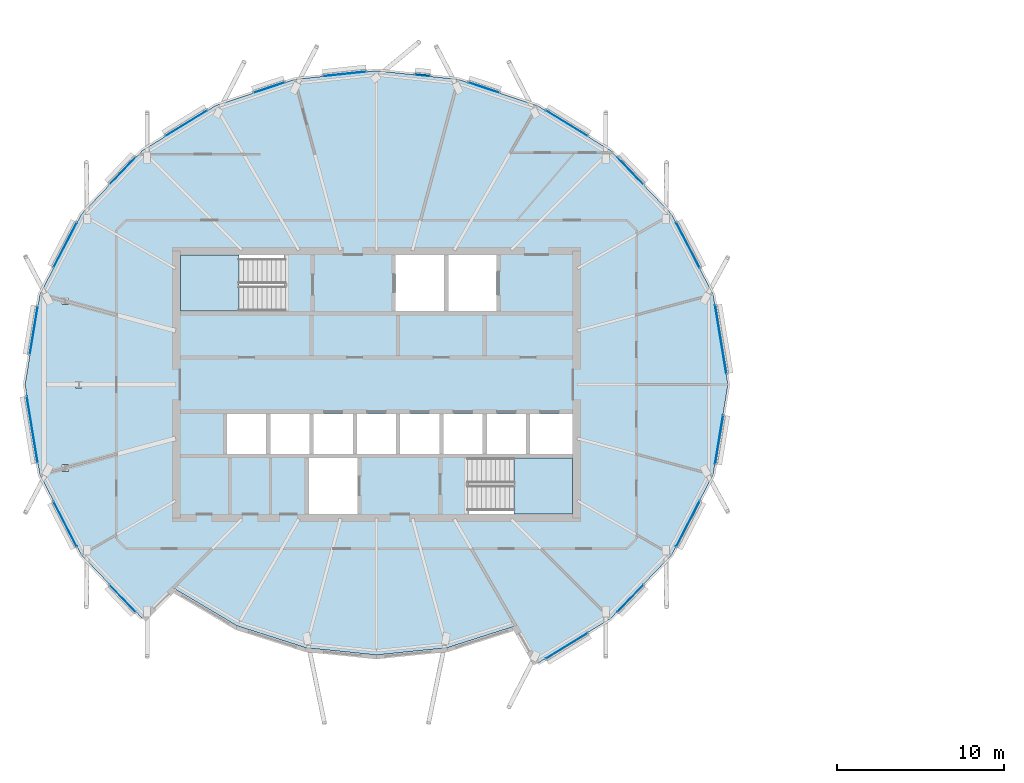
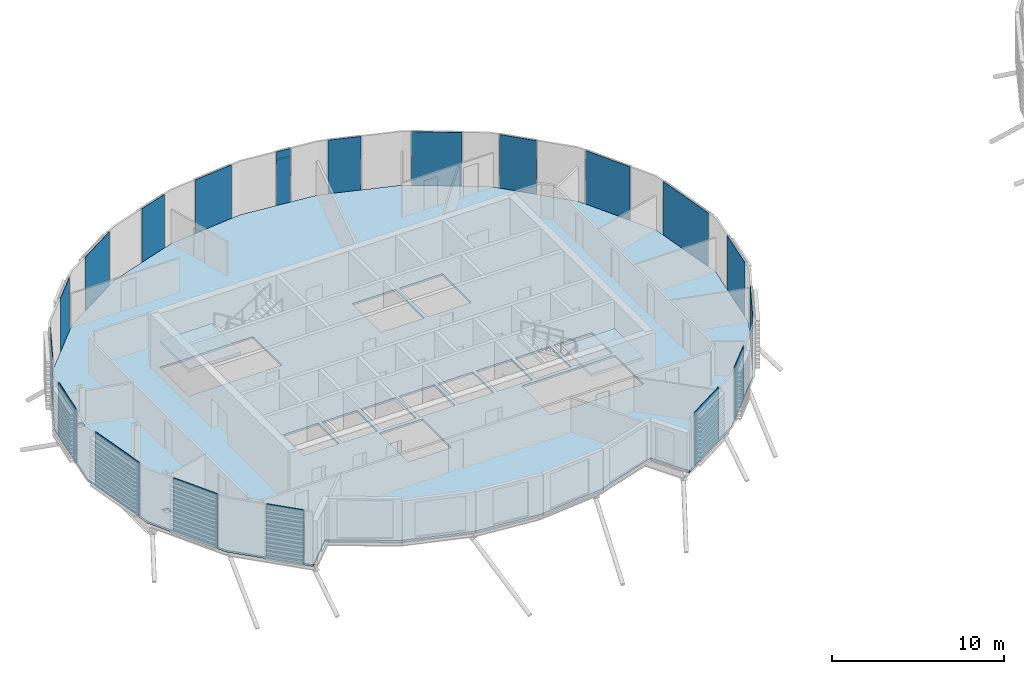
# One storey, part 15 of 38: 19 plates, 3 slabs, 1 member, 3 elements without a shape of their own.
"""IFC4 building model written with IfcOpenShell, lengths in metres."""

from ifc_helpers import new_model, si_unit, direction, frame, origin, origin_2d, place, context, subcontext, project, spatial, polyline, rectangle, outline, extrude, material, layer, layer_set, material_profile, profile_set, type_object, element, aggregate, save


model = new_model("IFC4")

# Units and contexts
model_context = context("Model", 3, precision=1e-05, world=origin(), true_north=direction((0.0, 1.0)))
body_context = subcontext(model_context, "Body", "Model", "MODEL_VIEW")
ifc_project = project(units=[si_unit("LENGTHUNIT", "METRE"), si_unit("AREAUNIT", "SQUARE_METRE"), si_unit("VOLUMEUNIT", "CUBIC_METRE"), si_unit("PLANEANGLEUNIT", "RADIAN"), si_unit("MASSUNIT", "GRAM", prefix="KILO")], contexts=[model_context])

# Site, building, storey
site_placement = place(None, origin())
site = spatial("IfcSite", under=ifc_project, at=site_placement, CompositionType="ELEMENT")
building_placement = place(site_placement, origin())
building = spatial("IfcBuilding", under=site, at=building_placement, Name="Rimbun Link Towers", CompositionType="ELEMENT")
storey_placement = place(building_placement, frame((0.0, 0.0, 218.10009765625)))
storey = spatial("IfcBuildingStorey", under=building, at=storey_placement, Name="L53", CompositionType="ELEMENT", Elevation=218.10009765625)

# Curtain wall, member
ifc_material_1 = material(Name="Aluminium 6063-T6 and low-iron glass", Category="aluminium")
curtain_wall_type = type_object("IfcCurtainWallType", Name="CW1-Z4 unitised vision wall (zone 4)", PredefinedType="NOTDEFINED", material=ifc_material_1)
curtain_wall_placement = place(storey_placement, origin())
curtain_wall = element("IfcCurtainWall", 1, at=curtain_wall_placement, inside=storey, type_object=curtain_wall_type, Name="CW1 L53 T1", PredefinedType="NOTDEFINED")
ifc_material_2 = material(Name="Aluminium 6063-T6", Category="aluminium")
ifc_material_profile = material_profile(ifc_material_2, rectangle(XDim=0.06005859375, YDim=0.1201171875, at=origin_2d()), Name="TRANSOM 60X120")
ifc_profile_set = profile_set([ifc_material_profile], Name="Aluminium 6063-T6")
member_type = type_object("IfcMemberType", Name="CW1 transom 60X120", PredefinedType="USERDEFINED", material=ifc_profile_set)
member_placement = place(storey_placement, frame((-29.4267578125, 18.617431640625, 3.199951171875), z_axis=(0.994502367673, -0.104714090228, 0.0), x_axis=(0.104714090228, 0.994502367673, 0.0)))
member = element("IfcMember", 2, at=member_placement, type_object=member_type, Name="CW1 transom", ObjectType="TRANSOM", PredefinedType="USERDEFINED", context=body_context, shape_type="SweptSolid", body=[
    extrude(rectangle(XDim=0.06005859375, YDim=0.1201171875, at=origin_2d()), origin(), (0.0, 0.0, 1.0), 0.867431640625),
])

# Slab
ifc_material_3 = material(Name="Concrete C35/45", Category="concrete")
ifc_layer_1 = layer(ifc_material_3, 0.139892578125)
ifc_layer_set_1 = layer_set([ifc_layer_1], Name="COMPOSITE FLOOR 140")
slab_type_1 = type_object("IfcSlabType", Name="COMPOSITE FLOOR 140", PredefinedType="FLOOR", material=ifc_layer_set_1)
slab_1_placement = place(storey_placement, frame((0.0, 0.0, -0.14013671875)))
element("IfcSlab", 3, at=slab_1_placement, inside=storey, type_object=slab_type_1, Name="Floor slab T1 L53", PredefinedType="FLOOR", context=body_context, shape_type="SweptSolid", body=[
    extrude(outline(polyline([(-49.434814453125, -10.21044921875), (-51.92138671875, -5.40478515625), (-52.810302734375, 0.0), (-51.92138671875, 5.40478515625), (-49.434814453125, 10.21044921875), (-45.7763671875, 14.0263671875), (-41.399658203125, 16.713623046875), (-36.650146484375, 18.28759765625), (-31.75, 18.8037109375), (-26.849853515625, 18.28759765625), (-22.100341796875, 16.713623046875), (-17.7236328125, 14.0263671875), (-14.065185546875, 10.21044921875), (-11.57861328125, 5.40478515625), (-10.689697265625, 0.0), (-11.57861328125, -5.40478515625), (-14.065185546875, -10.21044921875), (-17.7236328125, -14.0263671875), (-22.100341796875, -16.713623046875), (-23.400390625, -14.462158203125), (-27.522705078125, -15.7763671875), (-31.75, -16.20361328125), (-35.977294921875, -15.7763671875), (-40.099609375, -14.462158203125), (-43.93798828125, -12.18798828125), (-45.7763671875, -14.0263671875), (-49.434814453125, -10.21044921875)]), holes=[polyline([(-32.89990234375, -7.75), (-32.89990234375, -4.39990234375), (-35.800048828125, -4.39990234375), (-35.800048828125, -7.75), (-32.89990234375, -7.75)]), polyline([(-50.208251953125, -5.1962890625), (-50.208251953125, -4.802490234375), (-50.607421875, -4.802490234375), (-50.607421875, -5.1962890625), (-50.208251953125, -5.1962890625)]), polyline([(-38.361083984375, -4.14990234375), (-38.361083984375, -1.75), (-40.70556640625, -1.75), (-40.70556640625, -4.14990234375), (-38.361083984375, -4.14990234375)]), polyline([(-35.7666015625, -4.14990234375), (-35.7666015625, -1.75), (-38.111083984375, -1.75), (-38.111083984375, -4.14990234375), (-35.7666015625, -4.14990234375)]), polyline([(-33.172119140625, -4.14990234375), (-33.172119140625, -1.75), (-35.5166015625, -1.75), (-35.5166015625, -4.14990234375), (-33.172119140625, -4.14990234375)]), polyline([(-49.3837890625, -0.19677734375), (-49.3837890625, 0.19677734375), (-49.78271484375, 0.19677734375), (-49.78271484375, -0.19677734375), (-49.3837890625, -0.19677734375)]), polyline([(-50.208251953125, 4.802490234375), (-50.208251953125, 5.1962890625), (-50.607421875, 5.1962890625), (-50.607421875, 4.802490234375), (-50.208251953125, 4.802490234375)]), polyline([(-37.260009765625, 4.39990234375), (-37.260009765625, 7.75), (-43.5, 7.75), (-43.5, 4.39990234375), (-37.260009765625, 4.39990234375)]), polyline([(-20.0, -7.75), (-20.0, -4.39990234375), (-26.239990234375, -4.39990234375), (-26.239990234375, -7.75), (-20.0, -7.75)]), polyline([(-30.577880859375, -4.14990234375), (-30.577880859375, -1.75), (-32.922119140625, -1.75), (-32.922119140625, -4.14990234375), (-30.577880859375, -4.14990234375)]), polyline([(-27.9833984375, -4.14990234375), (-27.9833984375, -1.75), (-30.327880859375, -1.75), (-30.327880859375, -4.14990234375), (-27.9833984375, -4.14990234375)]), polyline([(-25.388916015625, -4.14990234375), (-25.388916015625, -1.75), (-27.7333984375, -1.75), (-27.7333984375, -4.14990234375), (-25.388916015625, -4.14990234375)]), polyline([(-22.79443359375, -4.14990234375), (-22.79443359375, -1.75), (-25.138916015625, -1.75), (-25.138916015625, -4.14990234375), (-22.79443359375, -4.14990234375)]), polyline([(-20.0, -4.14990234375), (-20.0, -1.75), (-22.54443359375, -1.75), (-22.54443359375, -4.14990234375), (-20.0, -4.14990234375)]), polyline([(-27.699951171875, 4.39990234375), (-27.699951171875, 7.75), (-30.60009765625, 7.75), (-30.60009765625, 4.39990234375), (-27.699951171875, 4.39990234375)]), polyline([(-24.550048828125, 4.39990234375), (-24.550048828125, 7.75), (-27.449951171875, 7.75), (-27.449951171875, 4.39990234375), (-24.550048828125, 4.39990234375)])]), origin(), (0.0, 0.0, 1.0), 0.14013671875),
])

# Plate
ifc_material_4 = material(Name="Low-iron glass, laminated low-e unit", Category="glass")
ifc_layer_2 = layer(ifc_material_4, 0.028076171875)
ifc_layer_set_2 = layer_set([ifc_layer_2], Name="CW1 panel Low-iron glass 28")
plate_type = type_object("IfcPlateType", Name="CW1 panel Low-iron glass 28", PredefinedType="CURTAIN_PANEL", material=ifc_layer_set_2)
plate_1_placement = place(storey_placement, frame((-11.120361328125, 2.704833984375, 0.0), z_axis=(0.0, 0.0, 1.0), x_axis=(0.162264068235, -0.986747369979, 0.0)))
plate_1 = element("IfcPlate", 4, at=plate_1_placement, type_object=plate_type, Name="CW1 panel", PredefinedType="CURTAIN_PANEL", context=body_context, shape_type="SweptSolid", body=[
    extrude(rectangle(XDim=4.137451171875, YDim=0.028076171875, at=origin_2d()), origin(), (0.0, 0.0, 1.0), 3.800048828125),
])

plate_2_placement = place(storey_placement, frame((-13.085205078125, 8.346923828125, 0.0), z_axis=(0.0, 0.0, 1.0), x_axis=(0.459553639865, -0.888150016656, 0.0)))
plate_2 = element("IfcPlate", 5, at=plate_2_placement, type_object=plate_type, Name="CW1 panel", PredefinedType="CURTAIN_PANEL", context=body_context, shape_type="SweptSolid", body=[
    extrude(rectangle(XDim=3.07080078125, YDim=0.028076171875, at=origin_2d()), origin(), (0.0, 0.0, 1.0), 3.800048828125),
])

plate_3_placement = place(storey_placement, frame((-16.541748046875, 12.81396484375, 0.0), z_axis=(0.0, 0.0, 1.0), x_axis=(0.692053255443, -0.721846446019, 0.0)))
plate_3 = element("IfcPlate", 6, at=plate_3_placement, type_object=plate_type, Name="CW1 panel", PredefinedType="CURTAIN_PANEL", context=body_context, shape_type="SweptSolid", body=[
    extrude(rectangle(XDim=2.246337890625, YDim=0.028076171875, at=origin_2d()), origin(), (0.0, 0.0, 1.0), 3.800048828125),
])

plate_4_placement = place(storey_placement, frame((-20.35205078125, 15.65673828125, 0.0), z_axis=(0.0, 0.0, 1.0), x_axis=(0.852184020392, -0.523242195727, 0.0)))
plate_4 = element("IfcPlate", 7, at=plate_4_placement, type_object=plate_type, Name="CW1 panel", PredefinedType="CURTAIN_PANEL", context=body_context, shape_type="SweptSolid", body=[
    extrude(rectangle(XDim=2.94580078125, YDim=0.028076171875, at=origin_2d()), origin(), (0.0, 0.0, 1.0), 3.800048828125),
])

plate_5_placement = place(storey_placement, frame((-25.324951171875, 17.797119140625, 0.0), z_axis=(0.0, 0.0, 1.0), x_axis=(0.949231478105, -0.314578449635, 0.0)))
plate_5 = element("IfcPlate", 8, at=plate_5_placement, type_object=plate_type, Name="CW1 panel", PredefinedType="CURTAIN_PANEL", context=body_context, shape_type="SweptSolid", body=[
    extrude(rectangle(XDim=1.963623046875, YDim=0.028076171875, at=origin_2d()), origin(), (0.0, 0.0, 1.0), 3.800048828125),
])

plate_6_placement = place(storey_placement, frame((-29.0, 18.5283203125, 0.0), z_axis=(0.0, 0.0, 1.0), x_axis=(0.994501448774, -0.104722816932, 0.0)))
plate_6 = element("IfcPlate", 9, at=plate_6_placement, type_object=plate_type, Name="CW1 panel", PredefinedType="CURTAIN_PANEL", context=body_context, shape_type="SweptSolid", body=[
    extrude(rectangle(XDim=0.88720703125, YDim=0.028076171875, at=origin_2d()), origin(), (0.0, 0.0, 1.0), 3.800048828125),
])

plate_7_placement = place(storey_placement, frame((-33.654541015625, 18.6171875, 0.0), z_axis=(0.0, 0.0, 1.0), x_axis=(0.994501448774, 0.104722816932, 0.0)))
plate_7 = element("IfcPlate", 10, at=plate_7_placement, type_object=plate_type, Name="CW1 panel", PredefinedType="CURTAIN_PANEL", context=body_context, shape_type="SweptSolid", body=[
    extrude(rectangle(XDim=2.58740234375, YDim=0.028076171875, at=origin_2d()), origin(), (0.0, 0.0, 1.0), 3.800048828125),
])

plate_8_placement = place(storey_placement, frame((-38.175048828125, 17.797119140625, 0.0), z_axis=(0.0, 0.0, 1.0), x_axis=(0.949231478105, 0.314578449635, 0.0)))
plate_8 = element("IfcPlate", 11, at=plate_8_placement, type_object=plate_type, Name="CW1 panel", PredefinedType="CURTAIN_PANEL", context=body_context, shape_type="SweptSolid", body=[
    extrude(rectangle(XDim=1.963623046875, YDim=0.028076171875, at=origin_2d()), origin(), (0.0, 0.0, 1.0), 3.800048828125),
])

plate_9_placement = place(storey_placement, frame((-43.14794921875, 15.65673828125, 0.0), z_axis=(0.0, 0.0, 1.0), x_axis=(0.852184020392, 0.523242195727, 0.0)))
plate_9 = element("IfcPlate", 12, at=plate_9_placement, type_object=plate_type, Name="CW1 panel", PredefinedType="CURTAIN_PANEL", context=body_context, shape_type="SweptSolid", body=[
    extrude(rectangle(XDim=2.94580078125, YDim=0.028076171875, at=origin_2d()), origin(), (0.0, 0.0, 1.0), 3.800048828125),
])

plate_10_placement = place(storey_placement, frame((-46.958251953125, 12.81396484375, 0.0), z_axis=(0.0, 0.0, 1.0), x_axis=(0.692053255443, 0.721846446019, 0.0)))
plate_10 = element("IfcPlate", 13, at=plate_10_placement, type_object=plate_type, Name="CW1 panel", PredefinedType="CURTAIN_PANEL", context=body_context, shape_type="SweptSolid", body=[
    extrude(rectangle(XDim=2.246337890625, YDim=0.028076171875, at=origin_2d()), origin(), (0.0, 0.0, 1.0), 3.800048828125),
])

plate_11_placement = place(storey_placement, frame((-50.4033203125, 8.369140625, 0.0), z_axis=(0.0, 0.0, 1.0), x_axis=(0.459553639865, 0.888150016656, 0.0)))
plate_11 = element("IfcPlate", 14, at=plate_11_placement, type_object=plate_type, Name="CW1 panel", PredefinedType="CURTAIN_PANEL", context=body_context, shape_type="SweptSolid", body=[
    extrude(rectangle(XDim=3.020751953125, YDim=0.028076171875, at=origin_2d()), origin(), (0.0, 0.0, 1.0), 3.800048828125),
])

plate_12_placement = place(storey_placement, frame((-52.290283203125, 3.247314453125, 0.0), z_axis=(0.0, 0.0, 1.0), x_axis=(0.162264068235, 0.986747369979, 0.0)))
plate_12 = element("IfcPlate", 15, at=plate_12_placement, type_object=plate_type, Name="CW1 panel", PredefinedType="CURTAIN_PANEL", context=body_context, shape_type="SweptSolid", body=[
    extrude(rectangle(XDim=2.9375, YDim=0.028076171875, at=origin_2d()), origin(), (0.0, 0.0, 1.0), 3.800048828125),
])

plate_13_placement = place(storey_placement, frame((-52.379638671875, -2.704833984375, 0.0), z_axis=(0.0, 0.0, 1.0), x_axis=(-0.162264068235, 0.986747369979, 0.0)))
plate_13 = element("IfcPlate", 16, at=plate_13_placement, type_object=plate_type, Name="CW1 panel", PredefinedType="CURTAIN_PANEL", context=body_context, shape_type="SweptSolid", body=[
    extrude(rectangle(XDim=4.03759765625, YDim=0.028076171875, at=origin_2d()), origin(), (0.0, 0.0, 1.0), 3.800048828125),
])

plate_14_placement = place(storey_placement, frame((-50.4033203125, -8.369140625, 0.0), z_axis=(0.0, 0.0, 1.0), x_axis=(-0.459553639865, 0.888150016656, 0.0)))
plate_14 = element("IfcPlate", 17, at=plate_14_placement, type_object=plate_type, Name="CW1 panel", PredefinedType="CURTAIN_PANEL", context=body_context, shape_type="SweptSolid", body=[
    extrude(rectangle(XDim=3.020751953125, YDim=0.028076171875, at=origin_2d()), origin(), (0.0, 0.0, 1.0), 3.800048828125),
])

plate_15_placement = place(storey_placement, frame((-46.958251953125, -12.81396484375, 0.0), z_axis=(0.0, 0.0, 1.0), x_axis=(-0.692053255443, 0.721846446019, 0.0)))
plate_15 = element("IfcPlate", 18, at=plate_15_placement, type_object=plate_type, Name="CW1 panel", PredefinedType="CURTAIN_PANEL", context=body_context, shape_type="SweptSolid", body=[
    extrude(rectangle(XDim=2.246337890625, YDim=0.028076171875, at=origin_2d()), origin(), (0.0, 0.0, 1.0), 3.800048828125),
])

plate_16_placement = place(storey_placement, frame((-20.35205078125, -15.65673828125, 0.0), z_axis=(0.0, 0.0, 1.0), x_axis=(-0.852184020392, -0.523242195727, 0.0)))
plate_16 = element("IfcPlate", 19, at=plate_16_placement, type_object=plate_type, Name="CW1 panel", PredefinedType="CURTAIN_PANEL", context=body_context, shape_type="SweptSolid", body=[
    extrude(rectangle(XDim=2.94580078125, YDim=0.028076171875, at=origin_2d()), origin(), (0.0, 0.0, 1.0), 3.800048828125),
])

plate_17_placement = place(storey_placement, frame((-16.541748046875, -12.81396484375, 0.0), z_axis=(0.0, 0.0, 1.0), x_axis=(-0.692053255443, -0.721846446019, 0.0)))
plate_17 = element("IfcPlate", 20, at=plate_17_placement, type_object=plate_type, Name="CW1 panel", PredefinedType="CURTAIN_PANEL", context=body_context, shape_type="SweptSolid", body=[
    extrude(rectangle(XDim=2.246337890625, YDim=0.028076171875, at=origin_2d()), origin(), (0.0, 0.0, 1.0), 3.800048828125),
])

plate_18_placement = place(storey_placement, frame((-13.085205078125, -8.346923828125, 0.0), z_axis=(0.0, 0.0, 1.0), x_axis=(-0.459553639865, -0.888150016656, 0.0)))
plate_18 = element("IfcPlate", 21, at=plate_18_placement, type_object=plate_type, Name="CW1 panel", PredefinedType="CURTAIN_PANEL", context=body_context, shape_type="SweptSolid", body=[
    extrude(rectangle(XDim=3.07080078125, YDim=0.028076171875, at=origin_2d()), origin(), (0.0, 0.0, 1.0), 3.800048828125),
])

plate_19_placement = place(storey_placement, frame((-11.2177734375, -3.296875, 0.0), z_axis=(0.0, 0.0, 1.0), x_axis=(-0.162264068235, -0.986747369979, 0.0)))
plate_19 = element("IfcPlate", 22, at=plate_19_placement, type_object=plate_type, Name="CW1 panel", PredefinedType="CURTAIN_PANEL", context=body_context, shape_type="SweptSolid", body=[
    extrude(rectangle(XDim=2.9375, YDim=0.028076171875, at=origin_2d()), origin(), (0.0, 0.0, 1.0), 3.800048828125),
])

aggregate(curtain_wall, [plate_1, plate_2, plate_3, plate_4, plate_5, plate_6, member, plate_7, plate_8, plate_9, plate_10, plate_11, plate_12, plate_13, plate_14, plate_15, plate_16, plate_17, plate_18, plate_19])

# Stair, slab
ifc_material_5 = material(Name="Concrete C40/50", Category="concrete")
stair_type = type_object("IfcStairType", Name="Exit stair 3800 rise", PredefinedType="HALF_TURN_STAIR", material=ifc_material_5)
stair_1_placement = place(storey_placement, origin())
stair_1 = element("IfcStair", 23, at=stair_1_placement, inside=storey, type_object=stair_type, Name="L53 EXIT STAIR A", PredefinedType="HALF_TURN_STAIR")
ifc_material_6 = material(Name="Concrete C40/50", Category="concrete")
ifc_layer_3 = layer(ifc_material_6, 0.199951171875)
ifc_layer_set_3 = layer_set([ifc_layer_3], Name="Stair landing")
slab_type_2 = type_object("IfcSlabType", Name="Stair landing", PredefinedType="LANDING", material=ifc_layer_set_3)
slab_2_placement = place(storey_placement, frame((0.0, 0.0, 1.699951171875)))
slab_2 = element("IfcSlab", 24, at=slab_2_placement, type_object=slab_type_2, Name="ST1 landing 1", PredefinedType="LANDING", context=body_context, shape_type="SweptSolid", body=[
    extrude(outline(polyline([(-40.0, 7.75), (-43.5, 7.75), (-43.5, 4.39990234375), (-40.0, 4.39990234375), (-40.0, 7.75)])), origin(), (0.0, 0.0, 1.0), 0.199951171875),
])
aggregate(stair_1, [slab_2])

stair_2_placement = place(storey_placement, origin())
stair_2 = element("IfcStair", 25, at=stair_2_placement, inside=storey, type_object=stair_type, Name="L53 EXIT STAIR B", PredefinedType="HALF_TURN_STAIR")
slab_3_placement = place(storey_placement, frame((0.0, 0.0, 1.699951171875)))
slab_3 = element("IfcSlab", 26, at=slab_3_placement, type_object=slab_type_2, Name="ST2 landing 1", PredefinedType="LANDING", context=body_context, shape_type="SweptSolid", body=[
    extrude(outline(polyline([(-23.5, -7.75), (-20.0, -7.75), (-20.0, -4.39990234375), (-23.5, -4.39990234375), (-23.5, -7.75)])), origin(), (0.0, 0.0, 1.0), 0.199951171875),
])
aggregate(stair_2, [slab_3])

save(model, "model.ifc")
